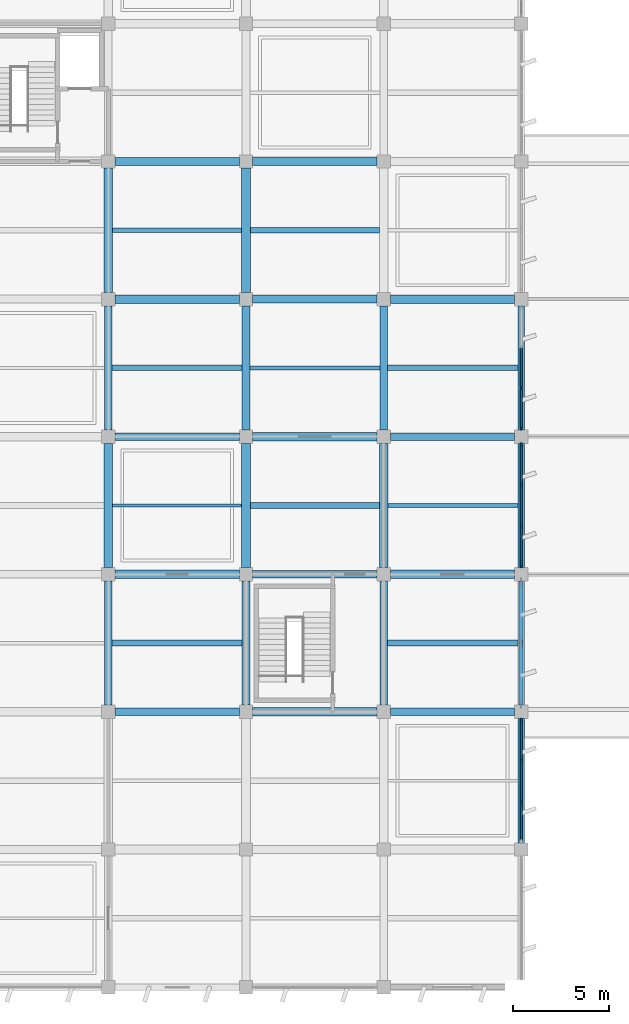
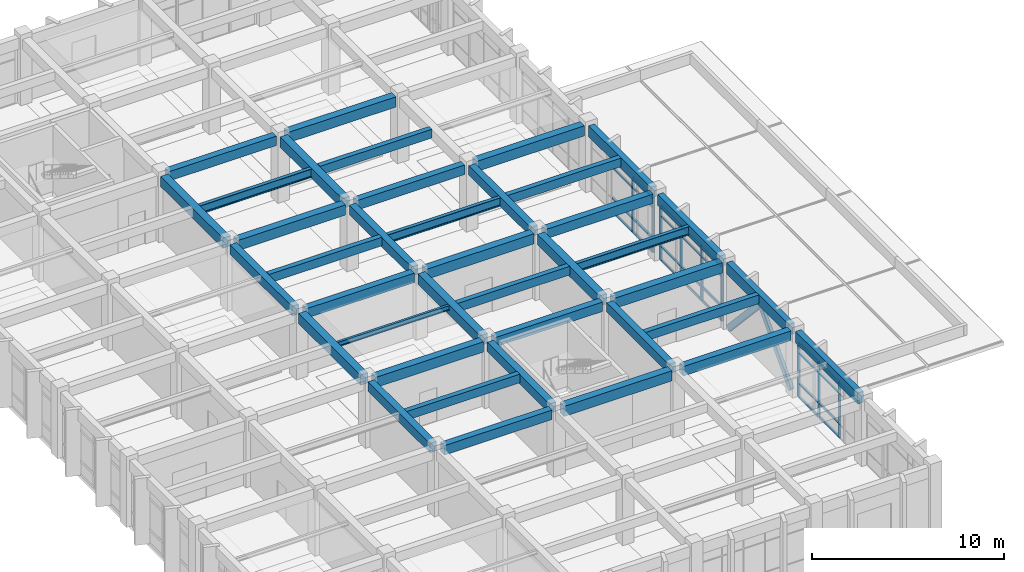
# One storey, part 32 of 81: 43 members, 35 beams, 3 elements without a shape of their own.
"""IFC4 building model written with IfcOpenShell, lengths in metres."""

from ifc_helpers import new_model, si_unit, direction, frame, origin, origin_2d, place, context, subcontext, project, spatial, rectangle, hollow_rectangle, i_section, extrude, material, layer, layer_set, material_profile, profile_set, type_object, element, aggregate, save


model = new_model("IFC4")

# Units and contexts
model_context = context("Model", 3, precision=1e-05, world=origin(), true_north=direction((0.0, 1.0)))
body_context = subcontext(model_context, "Body", "Model", "MODEL_VIEW")
ifc_project = project(units=[si_unit("LENGTHUNIT", "METRE"), si_unit("AREAUNIT", "SQUARE_METRE"), si_unit("VOLUMEUNIT", "CUBIC_METRE"), si_unit("PLANEANGLEUNIT", "RADIAN"), si_unit("MASSUNIT", "GRAM", prefix="KILO")], contexts=[model_context])

# Site, building, storey
site_placement = place(None, origin())
site = spatial("IfcSite", under=ifc_project, at=site_placement, CompositionType="ELEMENT")
building_placement = place(site_placement, origin())
building = spatial("IfcBuilding", under=site, at=building_placement, Name="Kavelor Marine Aquarium", CompositionType="ELEMENT")
storey_placement = place(building_placement, frame((0.0, 0.0, 4.679931640625)))
storey = spatial("IfcBuildingStorey", under=building, at=storey_placement, Name="L01", CompositionType="ELEMENT", Elevation=4.679931640625)

# Beams
ifc_material_1 = material(Name="Concrete C40/50", Category="concrete")
ifc_material_profile_1 = material_profile(ifc_material_1, rectangle(XDim=0.449951171875, YDim=0.64990234375, at=origin_2d()), Name="RC-BM 450x650")
ifc_profile_set_1 = profile_set([ifc_material_profile_1], Name="Concrete C40/50")
beam_type_1 = type_object("IfcBeamType", Name="BM-B3", PredefinedType="BEAM", material=ifc_profile_set_1)
for number, where, z_axis, x_axis, name in (
    (1, (133.14990234375, 74.800048828125, 3.875), (1.0, 0.0, 0.0), (0.0, 1.0, 0.0), "bm:x:L01:L02:18_10"),
    (2, (133.14990234375, 89.199951171875, 3.875), (1.0, 0.0, 0.0), (0.0, 1.0, 0.0), "bm:x:L01:L02:18_12"),
    (3, (140.35009765625, 67.60009765625, 3.875), (1.0, 0.0, 0.0), (0.0, 1.0, 0.0), "bm:x:L01:L02:19_09"),
    (4, (140.35009765625, 82.0, 3.875), (1.0, 0.0, 0.0), (0.0, 1.0, 0.0), "bm:x:L01:L02:19_11"),
    (5, (140.35009765625, 96.39990234375, 3.875), (1.0, 0.0, 0.0), (0.0, 1.0, 0.0), "bm:x:L01:L02:19_13"),
    (6, (147.550048828125, 74.800048828125, 3.875), (1.0, 0.0, 0.0), (0.0, 1.0, 0.0), "bm:x:L01:L02:20_10"),
    (7, (147.550048828125, 89.199951171875, 3.875), (1.0, 0.0, 0.0), (0.0, 1.0, 0.0), "bm:x:L01:L02:20_12"),
    (8, (132.800048828125, 75.14990234375, 3.875), (0.0, 1.0, 0.0), (-1.0, 0.0, 0.0), "bm:y:L01:L02:18_10"),
    (9, (132.800048828125, 89.550048828125, 3.875), (0.0, 1.0, 0.0), (-1.0, 0.0, 0.0), "bm:y:L01:L02:18_12"),
    (10, (140.0, 75.14990234375, 3.875), (0.0, 1.0, 0.0), (-1.0, 0.0, 0.0), "bm:y:L01:L02:19_10"),
    (11, (140.0, 89.550048828125, 3.875), (0.0, 1.0, 0.0), (-1.0, 0.0, 0.0), "bm:y:L01:L02:19_12"),
    (12, (147.199951171875, 75.14990234375, 3.875), (0.0, 1.0, 0.0), (-1.0, 0.0, 0.0), "bm:y:L01:L02:20_10"),
):
    element("IfcBeam", number, at=place(storey_placement, frame(where, z_axis=z_axis, x_axis=x_axis)), inside=storey, type_object=beam_type_1, Name=name, PredefinedType="BEAM", context=body_context, shape_type="SweptSolid", body=[
        extrude(rectangle(XDim=0.449951171875, YDim=0.64990234375, at=origin_2d()), origin(), (0.0, 0.0, 1.0), 6.5),
    ])
ifc_material_2 = material(Name="Concrete C40/50", Category="concrete")
ifc_material_profile_2 = material_profile(ifc_material_2, rectangle(XDim=0.39990234375, YDim=0.60009765625, at=origin_2d()), Name="RC-BM 400x600")
ifc_profile_set_2 = profile_set([ifc_material_profile_2], Name="Concrete C40/50")
beam_type_2 = type_object("IfcBeamType", Name="BM-B4", PredefinedType="BEAM", material=ifc_profile_set_2)
for number, where, z_axis, x_axis, name in (
    (13, (133.14990234375, 67.60009765625, 3.900146484375), (1.0, 0.0, 0.0), (0.0, 1.0, 0.0), "bm:x:L01:L02:18_09"),
    (14, (133.14990234375, 82.0, 3.900146484375), (1.0, 0.0, 0.0), (0.0, 1.0, 0.0), "bm:x:L01:L02:18_11"),
    (15, (133.14990234375, 96.39990234375, 3.900146484375), (1.0, 0.0, 0.0), (0.0, 1.0, 0.0), "bm:x:L01:L02:18_13"),
    (16, (140.35009765625, 74.800048828125, 3.900146484375), (1.0, 0.0, 0.0), (0.0, 1.0, 0.0), "bm:x:L01:L02:19_10"),
    (17, (140.35009765625, 89.199951171875, 3.900146484375), (1.0, 0.0, 0.0), (0.0, 1.0, 0.0), "bm:x:L01:L02:19_12"),
    (18, (147.550048828125, 67.60009765625, 3.900146484375), (1.0, 0.0, 0.0), (0.0, 1.0, 0.0), "bm:x:L01:L02:20_09"),
    (19, (147.550048828125, 82.0, 3.900146484375), (1.0, 0.0, 0.0), (0.0, 1.0, 0.0), "bm:x:L01:L02:20_11"),
    (20, (132.800048828125, 67.949951171875, 3.900146484375), (0.0, 1.0, 0.0), (-1.0, 0.0, 0.0), "bm:y:L01:L02:18_09"),
    (21, (132.800048828125, 82.35009765625, 3.900146484375), (0.0, 1.0, 0.0), (-1.0, 0.0, 0.0), "bm:y:L01:L02:18_11"),
    (22, (140.0, 67.949951171875, 3.900146484375), (0.0, 1.0, 0.0), (-1.0, 0.0, 0.0), "bm:y:L01:L02:19_09"),
    (23, (140.0, 82.35009765625, 3.900146484375), (0.0, 1.0, 0.0), (-1.0, 0.0, 0.0), "bm:y:L01:L02:19_11"),
    (24, (147.199951171875, 67.949951171875, 3.900146484375), (0.0, 1.0, 0.0), (-1.0, 0.0, 0.0), "bm:y:L01:L02:20_09"),
    (25, (147.199951171875, 82.35009765625, 3.900146484375), (0.0, 1.0, 0.0), (-1.0, 0.0, 0.0), "bm:y:L01:L02:20_11"),
):
    element("IfcBeam", number, at=place(storey_placement, frame(where, z_axis=z_axis, x_axis=x_axis)), inside=storey, type_object=beam_type_2, Name=name, PredefinedType="BEAM", context=body_context, shape_type="SweptSolid", body=[
        extrude(rectangle(XDim=0.39990234375, YDim=0.60009765625, at=origin_2d()), origin(), (0.0, 0.0, 1.0), 6.5),
    ])
ifc_material_3 = material(Name="Concrete C40/50", Category="concrete")
ifc_material_profile_3 = material_profile(ifc_material_3, rectangle(XDim=0.300048828125, YDim=0.550048828125, at=origin_2d()), Name="RC-JS 300x550")
ifc_profile_set_3 = profile_set([ifc_material_profile_3], Name="Concrete C40/50")
beam_type_3 = type_object("IfcBeamType", Name="BM-JS2", PredefinedType="JOIST", material=ifc_profile_set_3)
for number, where, z_axis, x_axis, name in (
    (26, (133.0, 71.199951171875, 3.945068359375), (1.0, 0.0, 0.0), (0.0, 1.0, 0.0), "js:L01:L02:18_09"),
    (27, (133.0, 85.60009765625, 3.945068359375), (1.0, 0.0, 0.0), (0.0, 1.0, 0.0), "js:L01:L02:18_11"),
):
    element("IfcBeam", number, at=place(storey_placement, frame(where, z_axis=z_axis, x_axis=x_axis)), inside=storey, type_object=beam_type_3, Name=name, PredefinedType="JOIST", context=body_context, shape_type="SweptSolid", body=[
        extrude(rectangle(XDim=0.300048828125, YDim=0.550048828125, at=origin_2d()), origin(), (0.0, 0.0, 1.0), 6.800048828125),
    ])
for number, where, z_axis, x_axis, name in (
    (28, (140.22509765625, 78.39990234375, 3.945068359375), (1.0, 0.0, 0.0), (0.0, 1.0, 0.0), "js:L01:L02:19_10"),
    (29, (140.22509765625, 92.800048828125, 3.945068359375), (1.0, 0.0, 0.0), (0.0, 1.0, 0.0), "js:L01:L02:19_12"),
):
    element("IfcBeam", number, at=place(storey_placement, frame(where, z_axis=z_axis, x_axis=x_axis)), inside=storey, type_object=beam_type_3, Name=name, PredefinedType="JOIST", context=body_context, shape_type="SweptSolid", body=[
        extrude(rectangle(XDim=0.300048828125, YDim=0.550048828125, at=origin_2d()), origin(), (0.0, 0.0, 1.0), 6.75),
    ])
for number, where, z_axis, x_axis, name in (
    (30, (147.39990234375, 71.199951171875, 3.945068359375), (1.0, 0.0, 0.0), (0.0, 1.0, 0.0), "js:L01:L02:20_09"),
    (31, (147.39990234375, 85.60009765625, 3.945068359375), (1.0, 0.0, 0.0), (0.0, 1.0, 0.0), "js:L01:L02:20_11"),
):
    element("IfcBeam", number, at=place(storey_placement, frame(where, z_axis=z_axis, x_axis=x_axis)), inside=storey, type_object=beam_type_3, Name=name, PredefinedType="JOIST", context=body_context, shape_type="SweptSolid", body=[
        extrude(rectangle(XDim=0.300048828125, YDim=0.550048828125, at=origin_2d()), origin(), (0.0, 0.0, 1.0), 6.8251953125),
    ])
ifc_material_4 = material(Name="Concrete C40/50", Category="concrete")
ifc_material_profile_4 = material_profile(ifc_material_4, rectangle(XDim=0.35009765625, YDim=0.699951171875, at=origin_2d()), Name="RC-SP 350x700")
ifc_profile_set_4 = profile_set([ifc_material_profile_4], Name="Concrete C40/50")
beam_type_4 = type_object("IfcBeamType", Name="BM-SP1", PredefinedType="SPANDREL", material=ifc_profile_set_4)
for number, where, z_axis, x_axis, name in (
    (32, (154.39990234375, 60.75, 3.85009765625), (0.0, 1.0, 0.0), (-1.0, 0.0, 0.0), "bm:y:L01:L02:21_08"),
    (33, (154.39990234375, 67.949951171875, 3.8701171875), (0.0, 1.0, 0.0), (-1.0, 0.0, 0.0), "bm:y:L01:L02:21_09"),
    (34, (154.39990234375, 75.14990234375, 3.85009765625), (0.0, 1.0, 0.0), (-1.0, 0.0, 0.0), "bm:y:L01:L02:21_10"),
    (35, (154.39990234375, 82.35009765625, 3.8701171875), (0.0, 1.0, 0.0), (-1.0, 0.0, 0.0), "bm:y:L01:L02:21_11"),
):
    element("IfcBeam", number, at=place(storey_placement, frame(where, z_axis=z_axis, x_axis=x_axis)), inside=storey, type_object=beam_type_4, Name=name, PredefinedType="SPANDREL", context=body_context, shape_type="SweptSolid", body=[
        extrude(rectangle(XDim=0.35009765625, YDim=0.699951171875, at=origin_2d()), origin(), (0.0, 0.0, 1.0), 6.5),
    ])

# Curtain wall, members
ifc_material_5 = material(Name="Thermally Broken Aluminium and Low-E Glass", Category="aluminium")
ifc_layer_1 = layer(ifc_material_5, 0.31591796875)
ifc_layer_set_1 = layer_set([ifc_layer_1], Name="CW-SYS22")
curtain_wall_type_1 = type_object("IfcCurtainWallType", Name="CW-SYS22", PredefinedType="USERDEFINED", material=ifc_layer_set_1)
curtain_wall_1_placement = place(storey_placement, origin())
curtain_wall_1 = element("IfcCurtainWall", 36, at=curtain_wall_1_placement, inside=storey, type_object=curtain_wall_type_1, Name="cw:y:L01:21_11", ObjectType="Curtain Wall", PredefinedType="USERDEFINED")
ifc_material_6 = material(Name="Anodised Aluminium Alloy 6063-T6", Category="aluminium")
ifc_material_profile_5 = material_profile(ifc_material_6, rectangle(XDim=0.074951171875, YDim=0.179931640625, at=origin_2d()), Name="CW-MUL 75x180")
ifc_profile_set_5 = profile_set([ifc_material_profile_5], Name="Anodised Aluminium Alloy 6063-T6")
member_type_1 = type_object("IfcMemberType", Name="CWM-1", PredefinedType="MULLION", material=ifc_profile_set_5)
member_1_placement = place(storey_placement, frame((154.39990234375, 82.4326171875, 0.0), z_axis=(0.0, 0.0, 1.0), x_axis=(-1.0, 0.0, 0.0)))
member_1 = element("IfcMember", 37, at=member_1_placement, type_object=member_type_1, Name="CW22 mullion 1", PredefinedType="MULLION", context=body_context, shape_type="SweptSolid", body=[
    extrude(rectangle(XDim=0.074951171875, YDim=0.179931640625, at=origin_2d()), origin(), (0.0, 0.0, 1.0), 3.510009765625),
])
member_2_placement = place(storey_placement, frame((154.39990234375, 84.53173828125, 0.0), z_axis=(0.0, 0.0, 1.0), x_axis=(-1.0, 0.0, 0.0)))
member_2 = element("IfcMember", 38, at=member_2_placement, type_object=member_type_1, Name="CW22 mullion 2", PredefinedType="MULLION", context=body_context, shape_type="SweptSolid", body=[
    extrude(rectangle(XDim=0.074951171875, YDim=0.179931640625, at=origin_2d()), origin(), (0.0, 0.0, 1.0), 3.510009765625),
])

ifc_material_7 = material(Name="Thermally Broken Aluminium and Low-E Glass", Category="aluminium")
ifc_layer_2 = layer(ifc_material_7, 0.300048828125)
ifc_layer_set_2 = layer_set([ifc_layer_2], Name="CW-SYS20")
curtain_wall_type_2 = type_object("IfcCurtainWallType", Name="CW-SYS20", PredefinedType="USERDEFINED", material=ifc_layer_set_2)
curtain_wall_2_placement = place(storey_placement, origin())
curtain_wall_2 = element("IfcCurtainWall", 39, at=curtain_wall_2_placement, inside=storey, type_object=curtain_wall_type_2, Name="cw:y:L01:21_08", ObjectType="Curtain Wall", PredefinedType="USERDEFINED")
ifc_material_8 = material(Name="Anodised Aluminium Alloy 6063-T6", Category="aluminium")
ifc_material_profile_6 = material_profile(ifc_material_8, rectangle(XDim=0.080078125, YDim=0.18505859375, at=origin_2d()), Name="CW-MUL 80x185")
ifc_profile_set_6 = profile_set([ifc_material_profile_6], Name="Anodised Aluminium Alloy 6063-T6")
member_type_2 = type_object("IfcMemberType", Name="CWM-2", PredefinedType="MULLION", material=ifc_profile_set_6)
member_3_placement = place(storey_placement, frame((154.39990234375, 62.931640625, 0.0), z_axis=(0.0, 0.0, 1.0), x_axis=(-1.0, 0.0, 0.0)))
member_3 = element("IfcMember", 40, at=member_3_placement, type_object=member_type_2, Name="CW20 mullion 2", PredefinedType="MULLION", context=body_context, shape_type="SweptSolid", body=[
    extrude(rectangle(XDim=0.080078125, YDim=0.18505859375, at=origin_2d()), origin(), (0.0, 0.0, 1.0), 3.489990234375),
])
member_4_placement = place(storey_placement, frame((154.39990234375, 65.068359375, 0.0), z_axis=(0.0, 0.0, 1.0), x_axis=(-1.0, 0.0, 0.0)))
member_4 = element("IfcMember", 41, at=member_4_placement, type_object=member_type_2, Name="CW20 mullion 3", PredefinedType="MULLION", context=body_context, shape_type="SweptSolid", body=[
    extrude(rectangle(XDim=0.080078125, YDim=0.18505859375, at=origin_2d()), origin(), (0.0, 0.0, 1.0), 3.489990234375),
])
member_5_placement = place(storey_placement, frame((154.39990234375, 67.172607421875, 0.0), z_axis=(0.0, 0.0, 1.0), x_axis=(-1.0, 0.0, 0.0)))
member_5 = element("IfcMember", 42, at=member_5_placement, type_object=member_type_2, Name="CW20 mullion 4", PredefinedType="MULLION", context=body_context, shape_type="SweptSolid", body=[
    extrude(rectangle(XDim=0.080078125, YDim=0.18505859375, at=origin_2d()), origin(), (0.0, 0.0, 1.0), 3.489990234375),
])

ifc_material_9 = material(Name="Thermally Broken Aluminium and Low-E Glass", Category="aluminium")
ifc_layer_3 = layer(ifc_material_9, 0.30810546875)
ifc_layer_set_3 = layer_set([ifc_layer_3], Name="CW-SYS21")
curtain_wall_type_3 = type_object("IfcCurtainWallType", Name="CW-SYS21", PredefinedType="USERDEFINED", material=ifc_layer_set_3)
curtain_wall_3_placement = place(storey_placement, origin())
curtain_wall_3 = element("IfcCurtainWall", 43, at=curtain_wall_3_placement, inside=storey, type_object=curtain_wall_type_3, Name="cw:y:L01:21_10", ObjectType="Curtain Wall", PredefinedType="USERDEFINED")
ifc_material_10 = material(Name="Anodised Aluminium Alloy 6063-T6", Category="aluminium")
ifc_material_profile_7 = material_profile(ifc_material_10, rectangle(XDim=0.0849609375, YDim=0.18994140625, at=origin_2d()), Name="CW-MUL 85x190")
ifc_profile_set_7 = profile_set([ifc_material_profile_7], Name="Anodised Aluminium Alloy 6063-T6")
member_type_3 = type_object("IfcMemberType", Name="CWM-3", PredefinedType="MULLION", material=ifc_profile_set_7)
member_6_placement = place(storey_placement, frame((154.39990234375, 75.22509765625, 0.0), z_axis=(0.0, 0.0, 1.0), x_axis=(-1.0, 0.0, 0.0)))
member_6 = element("IfcMember", 44, at=member_6_placement, type_object=member_type_3, Name="CW21 mullion 1", PredefinedType="MULLION", context=body_context, shape_type="SweptSolid", body=[
    extrude(rectangle(XDim=0.0849609375, YDim=0.18994140625, at=origin_2d()), origin(), (0.0, 0.0, 1.0), 3.489990234375),
])
member_7_placement = place(storey_placement, frame((154.39990234375, 77.331787109375, 0.0), z_axis=(0.0, 0.0, 1.0), x_axis=(-1.0, 0.0, 0.0)))
member_7 = element("IfcMember", 45, at=member_7_placement, type_object=member_type_3, Name="CW21 mullion 2", PredefinedType="MULLION", context=body_context, shape_type="SweptSolid", body=[
    extrude(rectangle(XDim=0.0849609375, YDim=0.18994140625, at=origin_2d()), origin(), (0.0, 0.0, 1.0), 3.489990234375),
])
member_8_placement = place(storey_placement, frame((154.39990234375, 79.46826171875, 0.0), z_axis=(0.0, 0.0, 1.0), x_axis=(-1.0, 0.0, 0.0)))
member_8 = element("IfcMember", 46, at=member_8_placement, type_object=member_type_3, Name="CW21 mullion 3", PredefinedType="MULLION", context=body_context, shape_type="SweptSolid", body=[
    extrude(rectangle(XDim=0.0849609375, YDim=0.18994140625, at=origin_2d()), origin(), (0.0, 0.0, 1.0), 3.489990234375),
])
member_9_placement = place(storey_placement, frame((154.39990234375, 81.574951171875, 0.0), z_axis=(0.0, 0.0, 1.0), x_axis=(-1.0, 0.0, 0.0)))
member_9 = element("IfcMember", 47, at=member_9_placement, type_object=member_type_3, Name="CW21 mullion 4", PredefinedType="MULLION", context=body_context, shape_type="SweptSolid", body=[
    extrude(rectangle(XDim=0.0849609375, YDim=0.18994140625, at=origin_2d()), origin(), (0.0, 0.0, 1.0), 3.489990234375),
])

# Member
ifc_material_11 = material(Name="Anodised Aluminium Alloy 6063-T6", Category="aluminium")
ifc_material_profile_8 = material_profile(ifc_material_11, rectangle(XDim=0.080078125, YDim=0.155029296875, at=origin_2d()), Name="CW-TRN 80x155")
ifc_profile_set_8 = profile_set([ifc_material_profile_8], Name="Anodised Aluminium Alloy 6063-T6")
member_type_4 = type_object("IfcMemberType", Name="CWT-2", PredefinedType="USERDEFINED", material=ifc_profile_set_8)
member_10_placement = place(storey_placement, frame((154.39990234375, 60.860107421875, 3.45751953125), z_axis=(0.0, 1.0, 0.0), x_axis=(-1.0, 0.0, 0.0)))
member_10 = element("IfcMember", 48, at=member_10_placement, type_object=member_type_4, Name="CW20 transom 1.4", ObjectType="TRANSOM", PredefinedType="USERDEFINED", context=body_context, shape_type="SweptSolid", body=[
    extrude(rectangle(XDim=0.080078125, YDim=0.155029296875, at=origin_2d()), origin(), (0.0, 0.0, 1.0), 2.0390625),
])

member_11_placement = place(storey_placement, frame((154.39990234375, 62.964111328125, 0.032470703125), z_axis=(0.0, 1.0, 0.0), x_axis=(-1.0, 0.0, 0.0)))
member_11 = element("IfcMember", 49, at=member_11_placement, type_object=member_type_4, Name="CW20 transom 2.1", ObjectType="TRANSOM", PredefinedType="USERDEFINED", context=body_context, shape_type="SweptSolid", body=[
    extrude(rectangle(XDim=0.080078125, YDim=0.155029296875, at=origin_2d()), origin(), (0.0, 0.0, 1.0), 2.07177734375),
])

member_12_placement = place(storey_placement, frame((154.39990234375, 62.964111328125, 0.900146484375), z_axis=(0.0, 1.0, 0.0), x_axis=(-1.0, 0.0, 0.0)))
member_12 = element("IfcMember", 50, at=member_12_placement, type_object=member_type_4, Name="CW20 transom 2.2", ObjectType="TRANSOM", PredefinedType="USERDEFINED", context=body_context, shape_type="SweptSolid", body=[
    extrude(rectangle(XDim=0.080078125, YDim=0.155029296875, at=origin_2d()), origin(), (0.0, 0.0, 1.0), 2.07177734375),
])

member_13_placement = place(storey_placement, frame((154.39990234375, 62.964111328125, 2.840087890625), z_axis=(0.0, 1.0, 0.0), x_axis=(-1.0, 0.0, 0.0)))
member_13 = element("IfcMember", 51, at=member_13_placement, type_object=member_type_4, Name="CW20 transom 2.3", ObjectType="TRANSOM", PredefinedType="USERDEFINED", context=body_context, shape_type="SweptSolid", body=[
    extrude(rectangle(XDim=0.080078125, YDim=0.155029296875, at=origin_2d()), origin(), (0.0, 0.0, 1.0), 2.07177734375),
])

member_14_placement = place(storey_placement, frame((154.39990234375, 62.964111328125, 3.45751953125), z_axis=(0.0, 1.0, 0.0), x_axis=(-1.0, 0.0, 0.0)))
member_14 = element("IfcMember", 52, at=member_14_placement, type_object=member_type_4, Name="CW20 transom 2.4", ObjectType="TRANSOM", PredefinedType="USERDEFINED", context=body_context, shape_type="SweptSolid", body=[
    extrude(rectangle(XDim=0.080078125, YDim=0.155029296875, at=origin_2d()), origin(), (0.0, 0.0, 1.0), 2.07177734375),
])

member_15_placement = place(storey_placement, frame((154.39990234375, 65.100830078125, 0.032470703125), z_axis=(0.0, 1.0, 0.0), x_axis=(-1.0, 0.0, 0.0)))
member_15 = element("IfcMember", 53, at=member_15_placement, type_object=member_type_4, Name="CW20 transom 3.1", ObjectType="TRANSOM", PredefinedType="USERDEFINED", context=body_context, shape_type="SweptSolid", body=[
    extrude(rectangle(XDim=0.080078125, YDim=0.155029296875, at=origin_2d()), origin(), (0.0, 0.0, 1.0), 2.0390625),
])

member_16_placement = place(storey_placement, frame((154.39990234375, 65.100830078125, 0.900146484375), z_axis=(0.0, 1.0, 0.0), x_axis=(-1.0, 0.0, 0.0)))
member_16 = element("IfcMember", 54, at=member_16_placement, type_object=member_type_4, Name="CW20 transom 3.2", ObjectType="TRANSOM", PredefinedType="USERDEFINED", context=body_context, shape_type="SweptSolid", body=[
    extrude(rectangle(XDim=0.080078125, YDim=0.155029296875, at=origin_2d()), origin(), (0.0, 0.0, 1.0), 2.0390625),
])

member_17_placement = place(storey_placement, frame((154.39990234375, 65.100830078125, 2.840087890625), z_axis=(0.0, 1.0, 0.0), x_axis=(-1.0, 0.0, 0.0)))
member_17 = element("IfcMember", 55, at=member_17_placement, type_object=member_type_4, Name="CW20 transom 3.3", ObjectType="TRANSOM", PredefinedType="USERDEFINED", context=body_context, shape_type="SweptSolid", body=[
    extrude(rectangle(XDim=0.080078125, YDim=0.155029296875, at=origin_2d()), origin(), (0.0, 0.0, 1.0), 2.0390625),
])

member_18_placement = place(storey_placement, frame((154.39990234375, 65.100830078125, 3.45751953125), z_axis=(0.0, 1.0, 0.0), x_axis=(-1.0, 0.0, 0.0)))
member_18 = element("IfcMember", 56, at=member_18_placement, type_object=member_type_4, Name="CW20 transom 3.4", ObjectType="TRANSOM", PredefinedType="USERDEFINED", context=body_context, shape_type="SweptSolid", body=[
    extrude(rectangle(XDim=0.080078125, YDim=0.155029296875, at=origin_2d()), origin(), (0.0, 0.0, 1.0), 2.0390625),
])

aggregate(curtain_wall_2, [member_3, member_4, member_5, member_10, member_11, member_12, member_13, member_14, member_15, member_16, member_17, member_18])

member_19_placement = place(storey_placement, frame((154.39990234375, 75.2548828125, 0.032470703125), z_axis=(0.0, 1.0, 0.0), x_axis=(-1.0, 0.0, 0.0)))
member_19 = element("IfcMember", 57, at=member_19_placement, type_object=member_type_4, Name="CW21 transom 1.1", ObjectType="TRANSOM", PredefinedType="USERDEFINED", context=body_context, shape_type="SweptSolid", body=[
    extrude(rectangle(XDim=0.080078125, YDim=0.155029296875, at=origin_2d()), origin(), (0.0, 0.0, 1.0), 2.046875),
])

member_20_placement = place(storey_placement, frame((154.39990234375, 75.2548828125, 0.900146484375), z_axis=(0.0, 1.0, 0.0), x_axis=(-1.0, 0.0, 0.0)))
member_20 = element("IfcMember", 58, at=member_20_placement, type_object=member_type_4, Name="CW21 transom 1.2", ObjectType="TRANSOM", PredefinedType="USERDEFINED", context=body_context, shape_type="SweptSolid", body=[
    extrude(rectangle(XDim=0.080078125, YDim=0.155029296875, at=origin_2d()), origin(), (0.0, 0.0, 1.0), 2.046875),
])

member_21_placement = place(storey_placement, frame((154.39990234375, 75.2548828125, 2.840087890625), z_axis=(0.0, 1.0, 0.0), x_axis=(-1.0, 0.0, 0.0)))
member_21 = element("IfcMember", 59, at=member_21_placement, type_object=member_type_4, Name="CW21 transom 1.3", ObjectType="TRANSOM", PredefinedType="USERDEFINED", context=body_context, shape_type="SweptSolid", body=[
    extrude(rectangle(XDim=0.080078125, YDim=0.155029296875, at=origin_2d()), origin(), (0.0, 0.0, 1.0), 2.046875),
])

member_22_placement = place(storey_placement, frame((154.39990234375, 75.2548828125, 3.45751953125), z_axis=(0.0, 1.0, 0.0), x_axis=(-1.0, 0.0, 0.0)))
member_22 = element("IfcMember", 60, at=member_22_placement, type_object=member_type_4, Name="CW21 transom 1.4", ObjectType="TRANSOM", PredefinedType="USERDEFINED", context=body_context, shape_type="SweptSolid", body=[
    extrude(rectangle(XDim=0.080078125, YDim=0.155029296875, at=origin_2d()), origin(), (0.0, 0.0, 1.0), 2.046875),
])

member_23_placement = place(storey_placement, frame((154.39990234375, 77.361572265625, 0.032470703125), z_axis=(0.0, 1.0, 0.0), x_axis=(-1.0, 0.0, 0.0)))
member_23 = element("IfcMember", 61, at=member_23_placement, type_object=member_type_4, Name="CW21 transom 2.1", ObjectType="TRANSOM", PredefinedType="USERDEFINED", context=body_context, shape_type="SweptSolid", body=[
    extrude(rectangle(XDim=0.080078125, YDim=0.155029296875, at=origin_2d()), origin(), (0.0, 0.0, 1.0), 2.07666015625),
])

member_24_placement = place(storey_placement, frame((154.39990234375, 77.361572265625, 0.900146484375), z_axis=(0.0, 1.0, 0.0), x_axis=(-1.0, 0.0, 0.0)))
member_24 = element("IfcMember", 62, at=member_24_placement, type_object=member_type_4, Name="CW21 transom 2.2", ObjectType="TRANSOM", PredefinedType="USERDEFINED", context=body_context, shape_type="SweptSolid", body=[
    extrude(rectangle(XDim=0.080078125, YDim=0.155029296875, at=origin_2d()), origin(), (0.0, 0.0, 1.0), 2.07666015625),
])

member_25_placement = place(storey_placement, frame((154.39990234375, 77.361572265625, 2.840087890625), z_axis=(0.0, 1.0, 0.0), x_axis=(-1.0, 0.0, 0.0)))
member_25 = element("IfcMember", 63, at=member_25_placement, type_object=member_type_4, Name="CW21 transom 2.3", ObjectType="TRANSOM", PredefinedType="USERDEFINED", context=body_context, shape_type="SweptSolid", body=[
    extrude(rectangle(XDim=0.080078125, YDim=0.155029296875, at=origin_2d()), origin(), (0.0, 0.0, 1.0), 2.07666015625),
])

member_26_placement = place(storey_placement, frame((154.39990234375, 77.361572265625, 3.45751953125), z_axis=(0.0, 1.0, 0.0), x_axis=(-1.0, 0.0, 0.0)))
member_26 = element("IfcMember", 64, at=member_26_placement, type_object=member_type_4, Name="CW21 transom 2.4", ObjectType="TRANSOM", PredefinedType="USERDEFINED", context=body_context, shape_type="SweptSolid", body=[
    extrude(rectangle(XDim=0.080078125, YDim=0.155029296875, at=origin_2d()), origin(), (0.0, 0.0, 1.0), 2.07666015625),
])

member_27_placement = place(storey_placement, frame((154.39990234375, 79.498291015625, 0.032470703125), z_axis=(0.0, 1.0, 0.0), x_axis=(-1.0, 0.0, 0.0)))
member_27 = element("IfcMember", 65, at=member_27_placement, type_object=member_type_4, Name="CW21 transom 3.1", ObjectType="TRANSOM", PredefinedType="USERDEFINED", context=body_context, shape_type="SweptSolid", body=[
    extrude(rectangle(XDim=0.080078125, YDim=0.155029296875, at=origin_2d()), origin(), (0.0, 0.0, 1.0), 2.046630859375),
])

member_28_placement = place(storey_placement, frame((154.39990234375, 79.498291015625, 0.900146484375), z_axis=(0.0, 1.0, 0.0), x_axis=(-1.0, 0.0, 0.0)))
member_28 = element("IfcMember", 66, at=member_28_placement, type_object=member_type_4, Name="CW21 transom 3.2", ObjectType="TRANSOM", PredefinedType="USERDEFINED", context=body_context, shape_type="SweptSolid", body=[
    extrude(rectangle(XDim=0.080078125, YDim=0.155029296875, at=origin_2d()), origin(), (0.0, 0.0, 1.0), 2.046630859375),
])

member_29_placement = place(storey_placement, frame((154.39990234375, 79.498291015625, 2.840087890625), z_axis=(0.0, 1.0, 0.0), x_axis=(-1.0, 0.0, 0.0)))
member_29 = element("IfcMember", 67, at=member_29_placement, type_object=member_type_4, Name="CW21 transom 3.3", ObjectType="TRANSOM", PredefinedType="USERDEFINED", context=body_context, shape_type="SweptSolid", body=[
    extrude(rectangle(XDim=0.080078125, YDim=0.155029296875, at=origin_2d()), origin(), (0.0, 0.0, 1.0), 2.046630859375),
])

member_30_placement = place(storey_placement, frame((154.39990234375, 79.498291015625, 3.45751953125), z_axis=(0.0, 1.0, 0.0), x_axis=(-1.0, 0.0, 0.0)))
member_30 = element("IfcMember", 68, at=member_30_placement, type_object=member_type_4, Name="CW21 transom 3.4", ObjectType="TRANSOM", PredefinedType="USERDEFINED", context=body_context, shape_type="SweptSolid", body=[
    extrude(rectangle(XDim=0.080078125, YDim=0.155029296875, at=origin_2d()), origin(), (0.0, 0.0, 1.0), 2.046630859375),
])

aggregate(curtain_wall_3, [member_6, member_7, member_8, member_9, member_19, member_20, member_21, member_22, member_23, member_24, member_25, member_26, member_27, member_28, member_29, member_30])

ifc_material_12 = material(Name="Anodised Aluminium Alloy 6063-T6", Category="aluminium")
ifc_material_profile_9 = material_profile(ifc_material_12, rectangle(XDim=0.0849609375, YDim=0.159912109375, at=origin_2d()), Name="CW-TRN 85x160")
ifc_profile_set_9 = profile_set([ifc_material_profile_9], Name="Anodised Aluminium Alloy 6063-T6")
member_type_5 = type_object("IfcMemberType", Name="CWT-3", PredefinedType="USERDEFINED", material=ifc_profile_set_9)
member_31_placement = place(storey_placement, frame((154.39990234375, 82.469970703125, 0.030029296875), z_axis=(0.0, 1.0, 0.0), x_axis=(-1.0, 0.0, 0.0)))
member_31 = element("IfcMember", 69, at=member_31_placement, type_object=member_type_5, Name="CW22 transom 1.1", ObjectType="TRANSOM", PredefinedType="USERDEFINED", context=body_context, shape_type="SweptSolid", body=[
    extrude(rectangle(XDim=0.0849609375, YDim=0.159912109375, at=origin_2d()), origin(), (0.0, 0.0, 1.0), 2.024169921875),
])

member_32_placement = place(storey_placement, frame((154.39990234375, 82.469970703125, 0.900146484375), z_axis=(0.0, 1.0, 0.0), x_axis=(-1.0, 0.0, 0.0)))
member_32 = element("IfcMember", 70, at=member_32_placement, type_object=member_type_5, Name="CW22 transom 1.2", ObjectType="TRANSOM", PredefinedType="USERDEFINED", context=body_context, shape_type="SweptSolid", body=[
    extrude(rectangle(XDim=0.0849609375, YDim=0.159912109375, at=origin_2d()), origin(), (0.0, 0.0, 1.0), 2.024169921875),
])

member_33_placement = place(storey_placement, frame((154.39990234375, 82.469970703125, 2.860107421875), z_axis=(0.0, 1.0, 0.0), x_axis=(-1.0, 0.0, 0.0)))
member_33 = element("IfcMember", 71, at=member_33_placement, type_object=member_type_5, Name="CW22 transom 1.3", ObjectType="TRANSOM", PredefinedType="USERDEFINED", context=body_context, shape_type="SweptSolid", body=[
    extrude(rectangle(XDim=0.0849609375, YDim=0.159912109375, at=origin_2d()), origin(), (0.0, 0.0, 1.0), 2.024169921875),
])

member_34_placement = place(storey_placement, frame((154.39990234375, 82.469970703125, 3.47998046875), z_axis=(0.0, 1.0, 0.0), x_axis=(-1.0, 0.0, 0.0)))
member_34 = element("IfcMember", 72, at=member_34_placement, type_object=member_type_5, Name="CW22 transom 1.4", ObjectType="TRANSOM", PredefinedType="USERDEFINED", context=body_context, shape_type="SweptSolid", body=[
    extrude(rectangle(XDim=0.0849609375, YDim=0.159912109375, at=origin_2d()), origin(), (0.0, 0.0, 1.0), 2.024169921875),
])

member_35_placement = place(storey_placement, frame((154.39990234375, 84.569091796875, 0.030029296875), z_axis=(0.0, 1.0, 0.0), x_axis=(-1.0, 0.0, 0.0)))
member_35 = element("IfcMember", 73, at=member_35_placement, type_object=member_type_5, Name="CW22 transom 2.1", ObjectType="TRANSOM", PredefinedType="USERDEFINED", context=body_context, shape_type="SweptSolid", body=[
    extrude(rectangle(XDim=0.0849609375, YDim=0.159912109375, at=origin_2d()), origin(), (0.0, 0.0, 1.0), 2.061767578125),
])

member_36_placement = place(storey_placement, frame((154.39990234375, 84.569091796875, 0.900146484375), z_axis=(0.0, 1.0, 0.0), x_axis=(-1.0, 0.0, 0.0)))
member_36 = element("IfcMember", 74, at=member_36_placement, type_object=member_type_5, Name="CW22 transom 2.2", ObjectType="TRANSOM", PredefinedType="USERDEFINED", context=body_context, shape_type="SweptSolid", body=[
    extrude(rectangle(XDim=0.0849609375, YDim=0.159912109375, at=origin_2d()), origin(), (0.0, 0.0, 1.0), 2.061767578125),
])

member_37_placement = place(storey_placement, frame((154.39990234375, 84.569091796875, 2.860107421875), z_axis=(0.0, 1.0, 0.0), x_axis=(-1.0, 0.0, 0.0)))
member_37 = element("IfcMember", 75, at=member_37_placement, type_object=member_type_5, Name="CW22 transom 2.3", ObjectType="TRANSOM", PredefinedType="USERDEFINED", context=body_context, shape_type="SweptSolid", body=[
    extrude(rectangle(XDim=0.0849609375, YDim=0.159912109375, at=origin_2d()), origin(), (0.0, 0.0, 1.0), 2.061767578125),
])

aggregate(curtain_wall_1, [member_1, member_2, member_31, member_32, member_33, member_34, member_35, member_36, member_37])

# Members
ifc_material_13 = material(Name="Steel S355", Category="steel")
ifc_material_profile_10 = material_profile(ifc_material_13, i_section(OverallWidth=0.2099609375, OverallDepth=0.550048828125, WebThickness=0.010986328125, FlangeThickness=0.01708984375, FilletRadius=0.02392578125, at=origin_2d()), Name="IPE 550")
ifc_profile_set_10 = profile_set([ifc_material_profile_10], Name="Steel S355")
member_type_6 = type_object("IfcMemberType", Name="PR-SJ1", PredefinedType="PURLIN", material=ifc_profile_set_10)
member_38_placement = place(storey_placement, frame((133.02490234375, 92.800048828125, 3.925048828125), z_axis=(1.0, 0.0, 0.0), x_axis=(0.0, 1.0, 0.0)))
element("IfcMember", 76, at=member_38_placement, inside=storey, type_object=member_type_6, Name="js:L01:L02:18_12", PredefinedType="PURLIN", context=body_context, shape_type="SweptSolid", body=[
    extrude(i_section(OverallWidth=0.2099609375, OverallDepth=0.550048828125, WebThickness=0.010986328125, FlangeThickness=0.01708984375, FilletRadius=0.02392578125, at=origin_2d()), origin(), (0.0, 0.0, 1.0), 6.75),
])
for number, where, z_axis, x_axis, name in (
    (77, (140.199951171875, 85.60009765625, 3.925048828125), (1.0, 0.0, 0.0), (0.0, 1.0, 0.0), "js:L01:L02:19_11"),
    (78, (147.425048828125, 78.39990234375, 3.925048828125), (1.0, 0.0, 0.0), (0.0, 1.0, 0.0), "js:L01:L02:20_10"),
):
    element("IfcMember", number, at=place(storey_placement, frame(where, z_axis=z_axis, x_axis=x_axis)), inside=storey, type_object=member_type_6, Name=name, PredefinedType="PURLIN", context=body_context, shape_type="SweptSolid", body=[
        extrude(i_section(OverallWidth=0.2099609375, OverallDepth=0.550048828125, WebThickness=0.010986328125, FlangeThickness=0.01708984375, FilletRadius=0.02392578125, at=origin_2d()), origin(), (0.0, 0.0, 1.0), 6.800048828125),
    ])
ifc_material_14 = material(Name="Steel S355", Category="steel")
ifc_material_profile_11 = material_profile(ifc_material_14, i_section(OverallWidth=0.14990234375, OverallDepth=0.300048828125, WebThickness=0.007080078125, FlangeThickness=0.0107421875, FilletRadius=0.014892578125, at=origin_2d()), Name="IPE 300")
ifc_profile_set_11 = profile_set([ifc_material_profile_11], Name="Steel S355")
member_type_7 = type_object("IfcMemberType", Name="PR-SJ4", PredefinedType="PURLIN", material=ifc_profile_set_11)
member_39_placement = place(storey_placement, frame((133.02490234375, 78.39990234375, 4.050048828125), z_axis=(1.0, 0.0, 0.0), x_axis=(0.0, 1.0, 0.0)))
element("IfcMember", 79, at=member_39_placement, inside=storey, type_object=member_type_7, Name="js:L01:L02:18_10", PredefinedType="PURLIN", context=body_context, shape_type="SweptSolid", body=[
    extrude(i_section(OverallWidth=0.14990234375, OverallDepth=0.300048828125, WebThickness=0.007080078125, FlangeThickness=0.0107421875, FilletRadius=0.014892578125, at=origin_2d()), origin(), (0.0, 0.0, 1.0), 6.75),
])
ifc_material_15 = material(Name="Steel S355", Category="steel")
ifc_material_profile_12 = material_profile(ifc_material_15, hollow_rectangle(XDim=0.199951171875, YDim=0.39990234375, WallThickness=0.012451171875, InnerFilletRadius=0.018798828125, OuterFilletRadius=0.03125, at=origin_2d()), Name="RHS 400x200x12.5")
ifc_profile_set_12 = profile_set([ifc_material_profile_12], Name="Steel S355")
member_type_8 = type_object("IfcMemberType", Name="ST-BR5", PredefinedType="BRACE", material=ifc_profile_set_12)
for number, where, z_axis, x_axis, name in (
    (80, (154.39990234375, 67.949951171875, 0.0), (0.0, 0.67836475837, 0.73472529193), (-1.0, 0.0, 0.0), "sbr:a:4"),
    (81, (154.39990234375, 74.449951171875, 0.0), (0.0, -0.67836475837, 0.73472529193), (1.0, 0.0, 0.0), "sbr:b:4"),
):
    element("IfcMember", number, at=place(storey_placement, frame(where, z_axis=z_axis, x_axis=x_axis)), inside=storey, type_object=member_type_8, Name=name, PredefinedType="BRACE", context=body_context, shape_type="SweptSolid", body=[
        extrude(hollow_rectangle(XDim=0.199951171875, YDim=0.39990234375, WallThickness=0.012451171875, InnerFilletRadius=0.018798828125, OuterFilletRadius=0.03125, at=origin_2d()), origin(), (0.0, 0.0, 1.0), 4.791015625),
    ])

save(model, "model.ifc")
